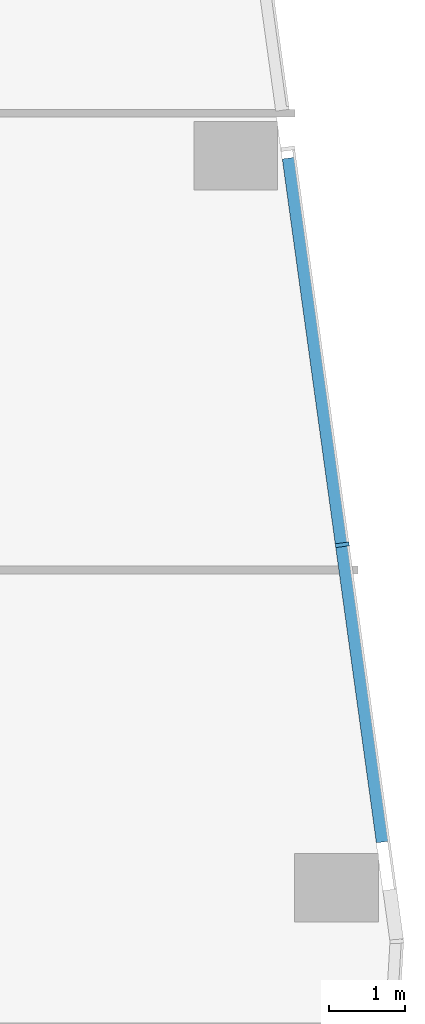
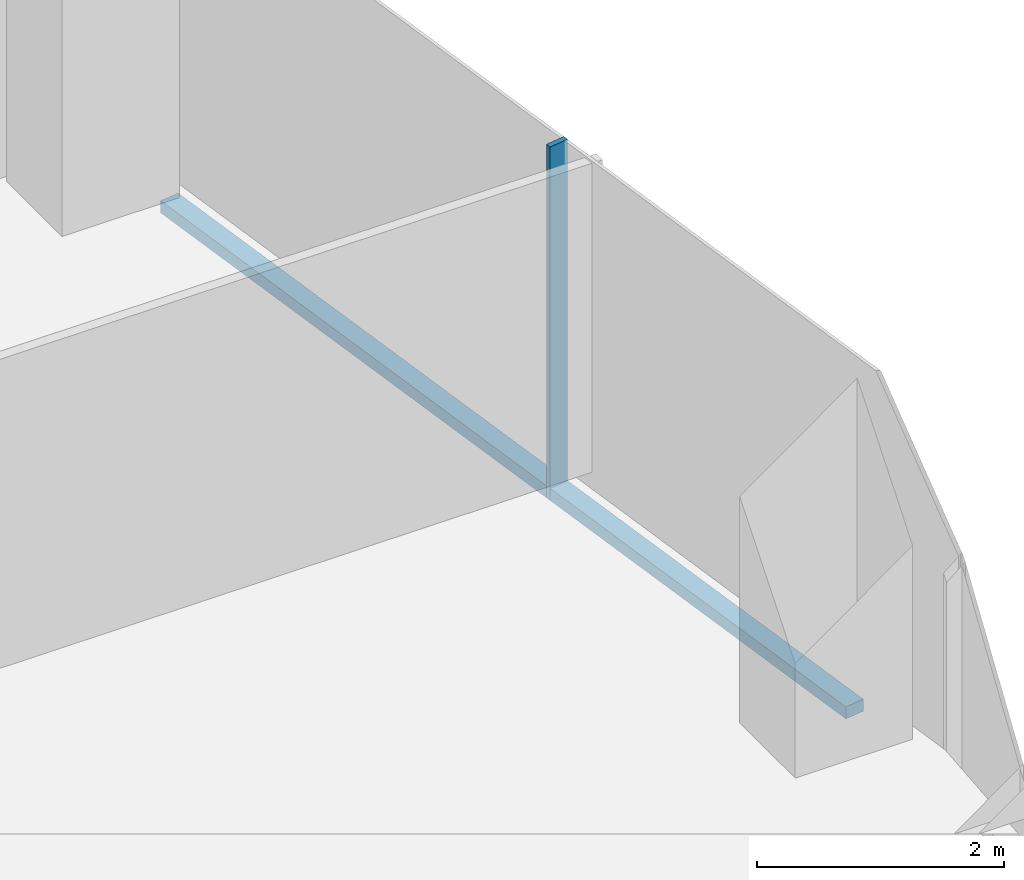
# One storey, part 8 of 27: 2 members, 1 element without a shape of its own.
"""IFC4 building model written with IfcOpenShell, lengths in metres."""

from ifc_helpers import new_model, si_unit, direction, frame, origin, origin_2d, place, context, subcontext, project, spatial, rectangle, extrude, material, material_profile, profile_set, type_object, element, aggregate, save


model = new_model("IFC4")

# Units and contexts
model_context = context("Model", 3, precision=1e-05, world=origin(), true_north=direction((0.0, 1.0)))
body_context = subcontext(model_context, "Body", "Model", "MODEL_VIEW")
ifc_project = project(units=[si_unit("LENGTHUNIT", "METRE"), si_unit("AREAUNIT", "SQUARE_METRE"), si_unit("VOLUMEUNIT", "CUBIC_METRE"), si_unit("PLANEANGLEUNIT", "RADIAN"), si_unit("MASSUNIT", "GRAM", prefix="KILO")], contexts=[model_context])

# Site, building, storey
site_placement = place(None, origin())
site = spatial("IfcSite", under=ifc_project, at=site_placement, CompositionType="ELEMENT")
building_placement = place(site_placement, origin())
building = spatial("IfcBuilding", under=site, at=building_placement, Name="Orlundy Tower", CompositionType="ELEMENT")
storey_placement = place(building_placement, frame((0.0, 0.0, 195.60009765625)))
storey = spatial("IfcBuildingStorey", under=building, at=storey_placement, Name="L51", CompositionType="ELEMENT", Elevation=195.60009765625)

# Curtain wall, members
ifc_material_1 = material(Name="Aluminium bronze anodised", Category="aluminium")
curtain_wall_type = type_object("IfcCurtainWallType", Name="CW1 wall", PredefinedType="NOTDEFINED", material=ifc_material_1)
curtain_wall_placement = place(storey_placement, origin())
curtain_wall = element("IfcCurtainWall", 1, at=curtain_wall_placement, inside=storey, type_object=curtain_wall_type, Name="CW1 run 011", PredefinedType="NOTDEFINED")
ifc_material_2 = material(Name="Aluminium bronze anodised", Category="aluminium")
ifc_material_profile_1 = material_profile(ifc_material_2, rectangle(XDim=0.179931640625, YDim=0.050048828125, at=origin_2d()), Name="CW1 mullion 50x180")
ifc_profile_set_1 = profile_set([ifc_material_profile_1], Name="Aluminium bronze anodised")
member_type_1 = type_object("IfcMemberType", Name="CW1 mullion 50x180", PredefinedType="MULLION", material=ifc_profile_set_1)
member_1_placement = place(storey_placement, frame((40.9267578125, 0.331298828125, -0.420166015625), z_axis=(0.0, 0.0, 1.0), x_axis=(0.990669519619, 0.13628610677, 0.0)))
member_1 = element("IfcMember", 2, at=member_1_placement, type_object=member_type_1, Name="CW1 mullion 35", PredefinedType="MULLION", context=body_context, shape_type="SweptSolid", body=[
    extrude(rectangle(XDim=0.179931640625, YDim=0.050048828125, at=origin_2d()), origin(), (0.0, 0.0, 1.0), 3.5),
])
ifc_material_3 = material(Name="Aluminium bronze anodised", Category="aluminium")
ifc_material_profile_2 = material_profile(ifc_material_3, rectangle(XDim=0.179931640625, YDim=0.1201171875, at=origin_2d()), Name="CW1 transom 180x120")
ifc_profile_set_2 = profile_set([ifc_material_profile_2], Name="Aluminium bronze anodised")
member_type_2 = type_object("IfcMemberType", Name="CW1 transom 180x120", PredefinedType="USERDEFINED", material=ifc_profile_set_2)
member_2_placement = place(storey_placement, frame((40.22802734375, 5.409912109375, -0.360107421875), z_axis=(0.136269219908, -0.990671842593, 0.0), x_axis=(0.990671842593, 0.136269219908, 0.0)))
member_2 = element("IfcMember", 3, at=member_2_placement, type_object=member_type_2, Name="CW1 transom", ObjectType="TRANSOM", PredefinedType="USERDEFINED", context=body_context, shape_type="SweptSolid", body=[
    extrude(rectangle(XDim=0.179931640625, YDim=0.1201171875, at=origin_2d()), origin(), (0.0, 0.0, 1.0), 9.0654296875),
])
aggregate(curtain_wall, [member_1, member_2])

save(model, "model.ifc")
